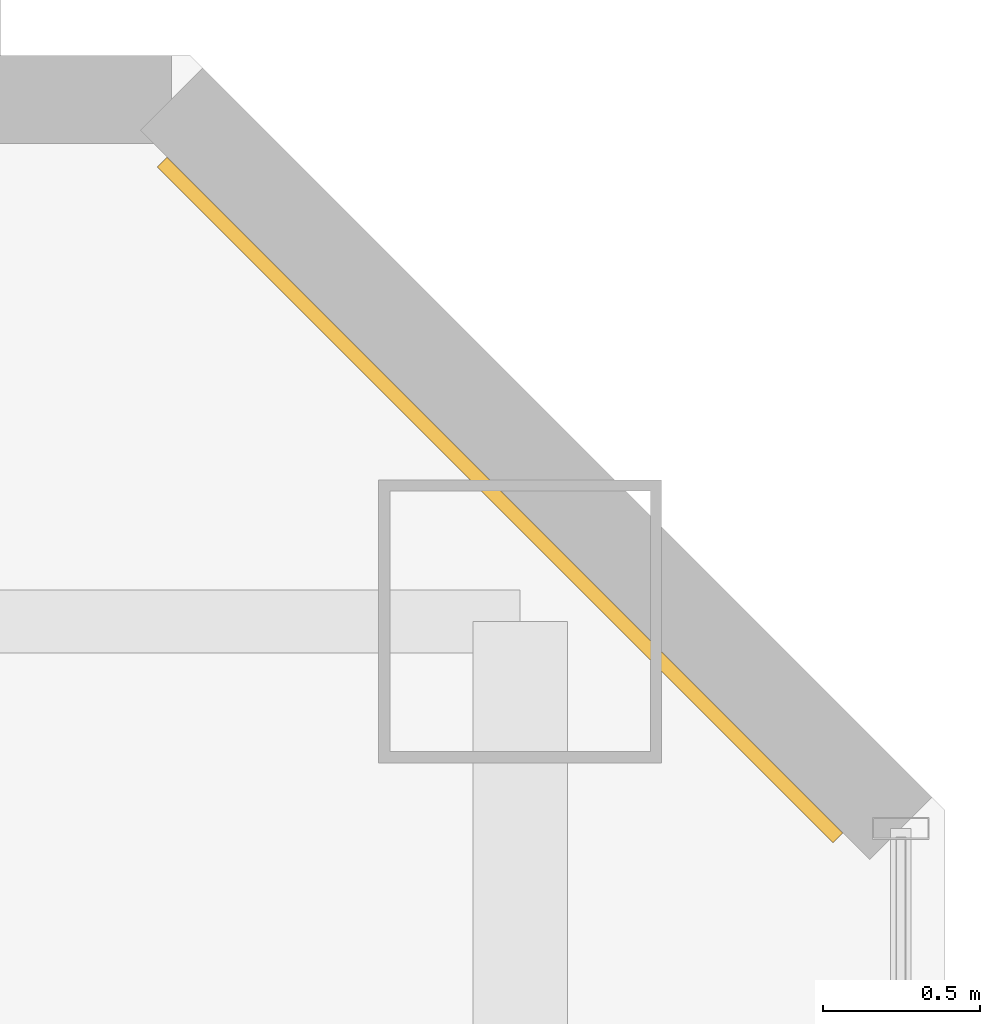
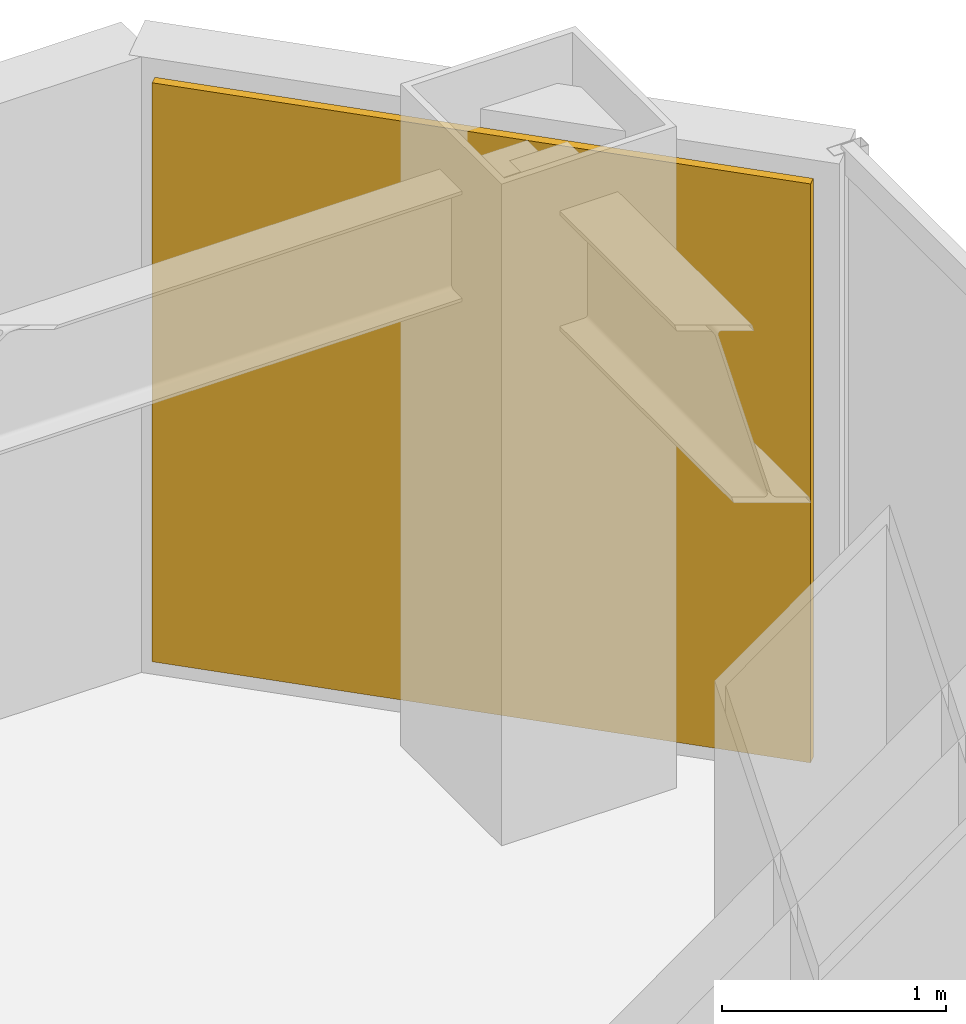
# One storey, part 29 of 29: 1 covering.
"""IFC4 building model written with IfcOpenShell, lengths in metres."""

from ifc_helpers import new_model, si_unit, direction, frame, origin, origin_2d, place, context, subcontext, project, spatial, rectangle, extrude, material, layer, layer_set, type_object, element, save


model = new_model("IFC4")

# Units and contexts
model_context = context("Model", 3, precision=1e-05, world=origin(), true_north=direction((0.0, 1.0)))
body_context = subcontext(model_context, "Body", "Model", "MODEL_VIEW")
ifc_project = project(units=[si_unit("LENGTHUNIT", "METRE"), si_unit("AREAUNIT", "SQUARE_METRE"), si_unit("VOLUMEUNIT", "CUBIC_METRE"), si_unit("PLANEANGLEUNIT", "RADIAN"), si_unit("MASSUNIT", "GRAM", prefix="KILO")], contexts=[model_context])

# Site, building, storey
site_placement = place(None, origin())
site = spatial("IfcSite", under=ifc_project, at=site_placement, CompositionType="ELEMENT")
building_placement = place(site_placement, origin())
building = spatial("IfcBuilding", under=site, at=building_placement, Name="Hatsunagi Terrace Concourse", CompositionType="ELEMENT")
storey_placement = place(building_placement, frame((0.0, 0.0, 108.449951171875)))
storey = spatial("IfcBuildingStorey", under=building, at=storey_placement, Name="L28", CompositionType="ELEMENT", Elevation=108.449951171875)

# Covering
ifc_material = material(Name="Unglazed Warm Terracotta Rainscreen Tile", Category="masonry")
ifc_layer = layer(ifc_material, 0.044921875)
ifc_layer_set = layer_set([ifc_layer], Name="TerracottaRainscreenCladding_45")
covering_type = type_object("IfcCoveringType", Name="TerracottaRainscreenCladding_45", PredefinedType="CLADDING", material=ifc_layer_set)
covering_placement = place(storey_placement, frame((43.5859375, 48.986083984375, 0.10009765625), z_axis=(0.0, 0.0, 1.0), x_axis=(0.707106781187, -0.707106781187, 0.0)))
element("IfcCovering", 1, at=covering_placement, inside=storey, type_object=covering_type, Name="Terracotta Rainscreen Cladding L28-12", PredefinedType="CLADDING", context=body_context, shape_type="SweptSolid", body=[
    extrude(rectangle(XDim=3.0380859375, YDim=0.044921875, at=origin_2d()), origin(), (0.0, 0.0, 1.0), 3.14990234375),
])

save(model, "model.ifc")
